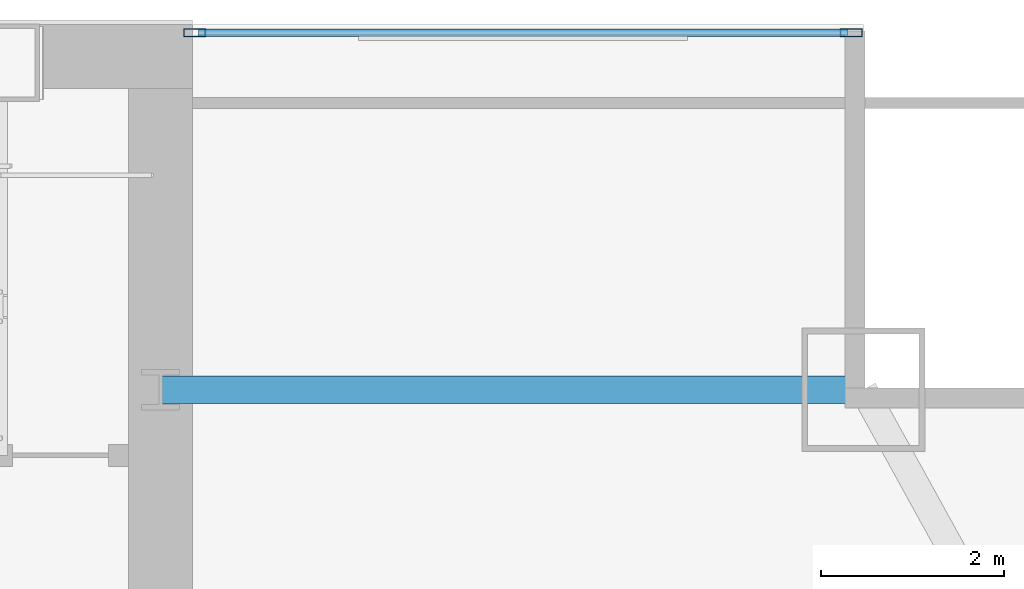
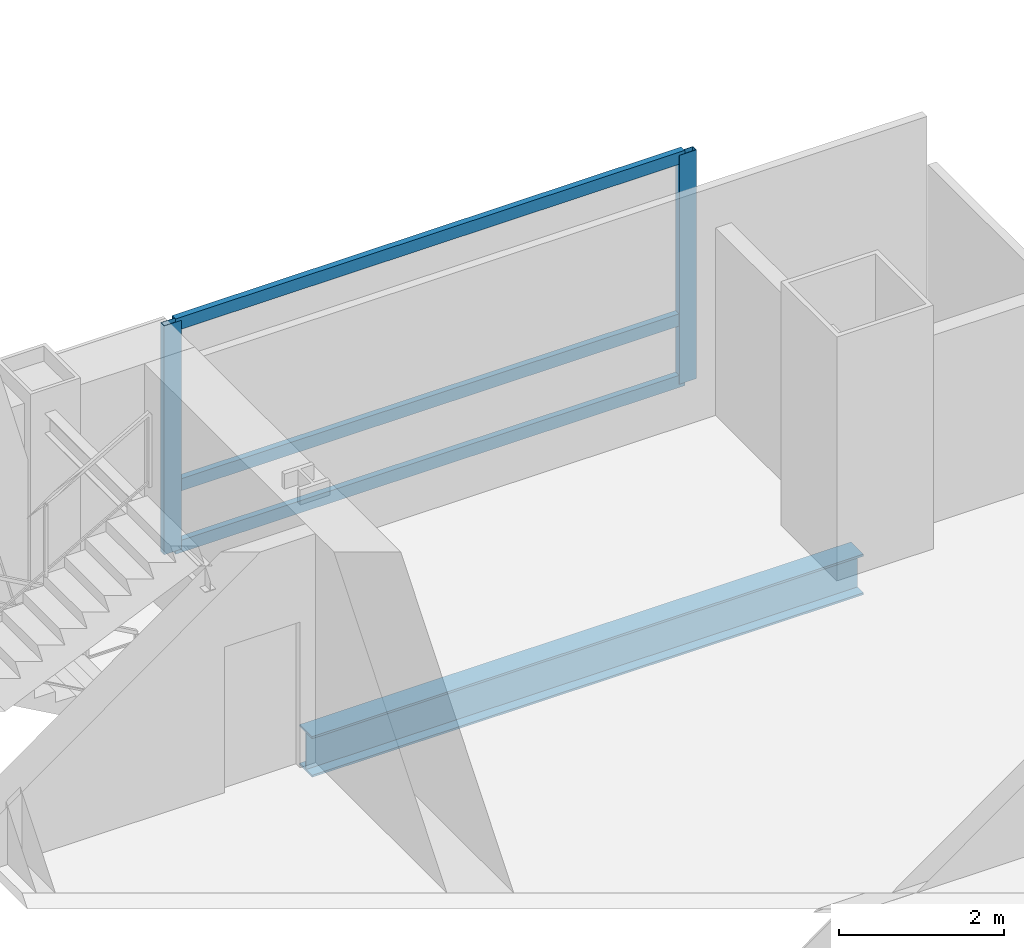
# One storey, part 21 of 31: 5 members, 1 beam, 1 element without a shape of its own.
"""IFC4 building model written with IfcOpenShell, lengths in metres."""

from ifc_helpers import new_model, si_unit, direction, frame, origin, origin_2d, place, context, subcontext, project, spatial, hollow_rectangle, i_section, extrude, material, material_profile, profile_set, type_object, element, aggregate, save


model = new_model("IFC4")

# Units and contexts
model_context = context("Model", 3, precision=1e-05, world=origin(), true_north=direction((0.0, 1.0)))
body_context = subcontext(model_context, "Body", "Model", "MODEL_VIEW")
ifc_project = project(units=[si_unit("LENGTHUNIT", "METRE"), si_unit("AREAUNIT", "SQUARE_METRE"), si_unit("VOLUMEUNIT", "CUBIC_METRE"), si_unit("PLANEANGLEUNIT", "RADIAN"), si_unit("MASSUNIT", "GRAM", prefix="KILO")], contexts=[model_context])

# Site, building, storey
site_placement = place(None, origin())
site = spatial("IfcSite", under=ifc_project, at=site_placement, CompositionType="ELEMENT")
building_placement = place(site_placement, origin())
building = spatial("IfcBuilding", under=site, at=building_placement, Name="Khoronbel Lancet Exchange", CompositionType="ELEMENT")
storey_placement = place(building_placement, frame((0.0, 0.0, 168.60009765625)))
storey = spatial("IfcBuildingStorey", under=building, at=storey_placement, Name="L42", CompositionType="ELEMENT", Elevation=168.60009765625)

# Beam
ifc_material_1 = material(Name="Steel S355", Category="steel")
ifc_material_profile_1 = material_profile(ifc_material_1, i_section(OverallWidth=0.300048828125, OverallDepth=0.60009765625, WebThickness=0.015380859375, FlangeThickness=0.030029296875, at=origin_2d()), Name="HEB 600")
ifc_profile_set_1 = profile_set([ifc_material_profile_1], Name="Steel S355")
beam_type = type_object("IfcBeamType", Name="BM-BSP2", PredefinedType="SPANDREL", material=ifc_profile_set_1)
beam_placement = place(storey_placement, frame((64.050048828125, 49.699951171875, -0.460205078125), z_axis=(-1.0, 0.0, 0.0), x_axis=(0.0, -1.0, 0.0)))
element("IfcBeam", 1, at=beam_placement, inside=storey, type_object=beam_type, Name="Level L42 north flank tie spandrel SP23", PredefinedType="SPANDREL", context=body_context, shape_type="SweptSolid", body=[
    extrude(i_section(OverallWidth=0.300048828125, OverallDepth=0.60009765625, WebThickness=0.015380859375, FlangeThickness=0.030029296875, at=origin_2d()), origin(), (0.0, 0.0, 1.0), 7.699951171875),
])

# Curtain wall, members
ifc_material_2 = material(Name="Low-E Solar Control Insulating Glass", Category="glass")
curtain_wall_type = type_object("IfcCurtainWallType", Name="CW-3", PredefinedType="NOTDEFINED", material=ifc_material_2)
curtain_wall_placement = place(storey_placement, origin())
curtain_wall = element("IfcCurtainWall", 2, at=curtain_wall_placement, inside=storey, type_object=curtain_wall_type, Name="Unitised curtain wall CW-L42-NEFLK", PredefinedType="NOTDEFINED")
ifc_material_3 = material(Name="Bronze-Anodised Aluminium 6063-T6", Category="aluminium")
ifc_material_profile_2 = material_profile(ifc_material_3, hollow_rectangle(XDim=0.0849609375, YDim=0.239990234375, WallThickness=0.006103515625, at=origin_2d()), Name="ALU MULLION 85x240")
ifc_profile_set_2 = profile_set([ifc_material_profile_2], Name="Bronze-Anodised Aluminium 6063-T6")
member_type_1 = type_object("IfcMemberType", Name="MEM-CWM1", PredefinedType="MULLION", material=ifc_profile_set_2)
member_1_placement = place(storey_placement, frame((63.91748046875, 53.610107421875, 0.0), z_axis=(0.0, 0.0, 1.0), x_axis=(0.0, -1.0, 0.0)))
member_1 = element("IfcMember", 3, at=member_1_placement, type_object=member_type_1, Name="CW3 mullion 1", PredefinedType="MULLION", context=body_context, shape_type="SweptSolid", body=[
    extrude(hollow_rectangle(XDim=0.0849609375, YDim=0.239990234375, WallThickness=0.006103515625, at=origin_2d()), origin(), (0.0, 0.0, 1.0), 3.3798828125),
])
member_2_placement = place(storey_placement, frame((56.722412109375, 53.610107421875, 0.0), z_axis=(0.0, 0.0, 1.0), x_axis=(0.0, -1.0, 0.0)))
member_2 = element("IfcMember", 4, at=member_2_placement, type_object=member_type_1, Name="CW3 mullion 2", PredefinedType="MULLION", context=body_context, shape_type="SweptSolid", body=[
    extrude(hollow_rectangle(XDim=0.0849609375, YDim=0.239990234375, WallThickness=0.006103515625, at=origin_2d()), origin(), (0.0, 0.0, 1.0), 3.3798828125),
])
ifc_material_profile_3 = material_profile(ifc_material_3, hollow_rectangle(XDim=0.0849609375, YDim=0.179931640625, WallThickness=0.0048828125, at=origin_2d()), Name="ALU TRANSOM 85x180")
ifc_profile_set_3 = profile_set([ifc_material_profile_3], Name="Bronze-Anodised Aluminium 6063-T6")
member_type_2 = type_object("IfcMemberType", Name="MEM-CWT1", PredefinedType="USERDEFINED", material=ifc_profile_set_3)
member_3_placement = place(storey_placement, frame((63.875, 53.610107421875, 0.04248046875), z_axis=(-1.0, 0.0, 0.0), x_axis=(0.0, -1.0, 0.0)))
member_3 = element("IfcMember", 5, at=member_3_placement, type_object=member_type_2, Name="CW3 transom 1.1", ObjectType="TRANSOM", PredefinedType="USERDEFINED", context=body_context, shape_type="SweptSolid", body=[
    extrude(hollow_rectangle(XDim=0.0849609375, YDim=0.179931640625, WallThickness=0.0048828125, at=origin_2d()), origin(), (0.0, 0.0, 1.0), 7.110107421875),
])
member_4_placement = place(storey_placement, frame((63.875, 53.610107421875, 0.949951171875), z_axis=(-1.0, 0.0, 0.0), x_axis=(0.0, -1.0, 0.0)))
member_4 = element("IfcMember", 6, at=member_4_placement, type_object=member_type_2, Name="CW3 transom 1.2", ObjectType="TRANSOM", PredefinedType="USERDEFINED", context=body_context, shape_type="SweptSolid", body=[
    extrude(hollow_rectangle(XDim=0.0849609375, YDim=0.179931640625, WallThickness=0.0048828125, at=origin_2d()), origin(), (0.0, 0.0, 1.0), 7.110107421875),
])
member_5_placement = place(storey_placement, frame((63.875, 53.610107421875, 3.33740234375), z_axis=(-1.0, 0.0, 0.0), x_axis=(0.0, -1.0, 0.0)))
member_5 = element("IfcMember", 7, at=member_5_placement, type_object=member_type_2, Name="CW3 transom 1.3", ObjectType="TRANSOM", PredefinedType="USERDEFINED", context=body_context, shape_type="SweptSolid", body=[
    extrude(hollow_rectangle(XDim=0.0849609375, YDim=0.179931640625, WallThickness=0.0048828125, at=origin_2d()), origin(), (0.0, 0.0, 1.0), 7.110107421875),
])
aggregate(curtain_wall, [member_1, member_2, member_3, member_4, member_5])

save(model, "model.ifc")
